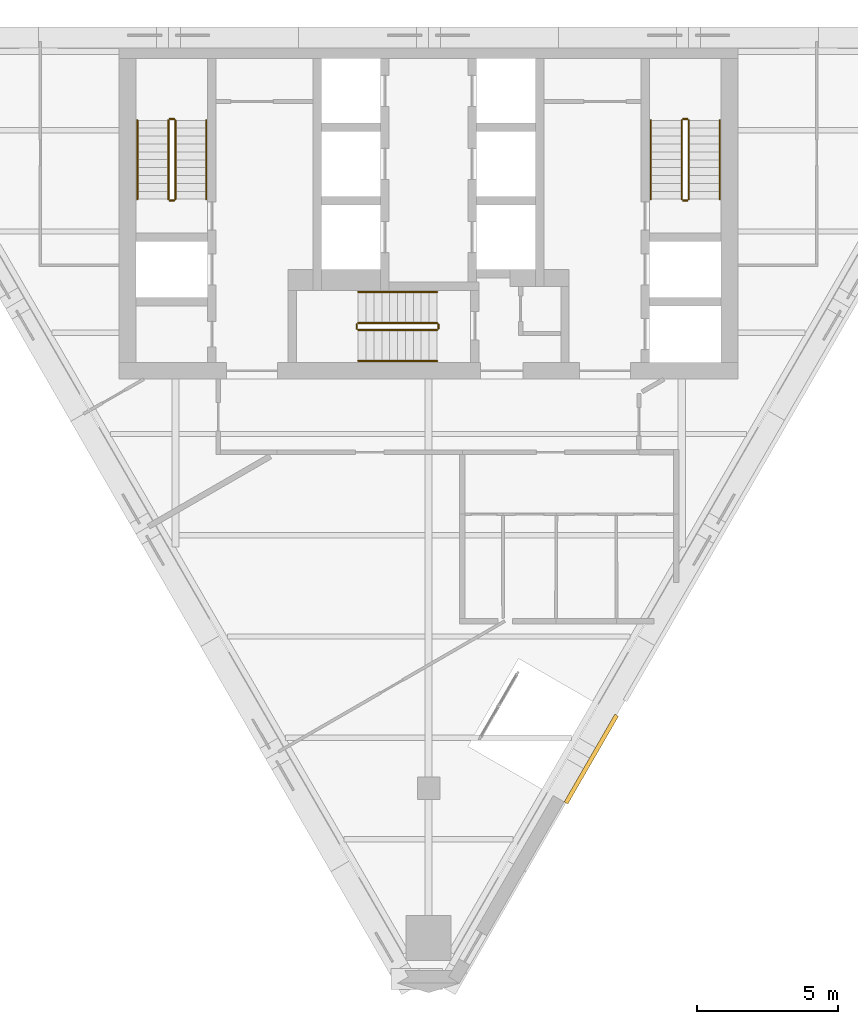
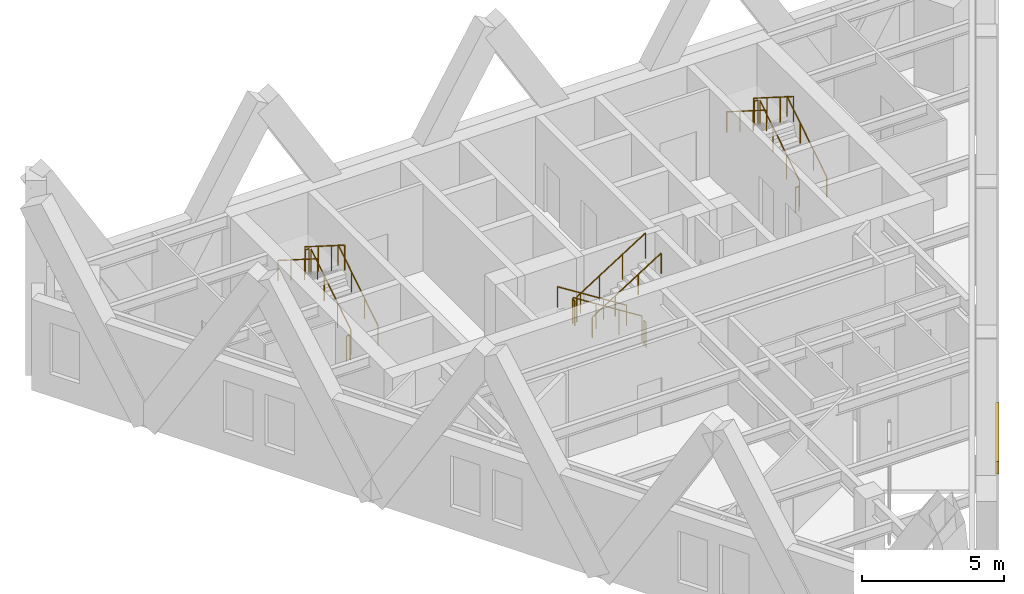
# One storey, part 8 of 9: 18 railings, 1 covering.
"""IFC4 building model written with IfcOpenShell, lengths in metres."""

from ifc_helpers import new_model, si_unit, direction, frame, origin, origin_2d, place, context, subcontext, project, spatial, polyline, circle, outline, extrude, material, layer, layer_set, type_object, element, save


model = new_model("IFC4")

# Units and contexts
model_context = context("Model", 3, precision=1e-05, world=origin(), true_north=direction((0.0, 1.0)))
body_context = subcontext(model_context, "Body", "Model", "MODEL_VIEW")
ifc_project = project(units=[si_unit("LENGTHUNIT", "METRE"), si_unit("AREAUNIT", "SQUARE_METRE"), si_unit("VOLUMEUNIT", "CUBIC_METRE"), si_unit("PLANEANGLEUNIT", "RADIAN"), si_unit("MASSUNIT", "GRAM", prefix="KILO")], contexts=[model_context])

# Site, building, storey
site_placement = place(None, origin())
site = spatial("IfcSite", under=ifc_project, at=site_placement, CompositionType="ELEMENT")
building_placement = place(site_placement, origin())
building = spatial("IfcBuilding", under=site, at=building_placement, Name="Aloe Facet Convention Tower", CompositionType="ELEMENT")
storey_placement = place(building_placement, frame((0.0, 0.0, 277.699951171875)))
storey = spatial("IfcBuildingStorey", under=building, at=storey_placement, Name="L68", CompositionType="ELEMENT", Elevation=277.699951171875)

# Railings
ifc_material_1 = material(Name="Steel S355 balustrade", Category="steel")
railing_type_1 = type_object("IfcRailingType", Name="CR-RL-GUARD", PredefinedType="GUARDRAIL", material=ifc_material_1)
railing_1_placement = place(storey_placement, frame((71.0, 128.949951171875, 0.17724609375)))
element("IfcRailing", 1, at=railing_1_placement, inside=storey, type_object=railing_type_1, Name="L68 ST1 stair guard 1", PredefinedType="GUARDRAIL", context=body_context, shape_type="SweptSolid", body=[
    extrude(circle(Radius=0.02392578125, at=origin_2d()), frame((0.0, 0.0, 1.076171875), z_axis=(0.0, 0.844908973607, 0.534910110503), x_axis=(-1.0, 0.0, 0.0)), (0.0, 0.0, 1.0), 3.31396484375),
    extrude(circle(Radius=0.02099609375, at=origin_2d()), origin(), (0.0, 0.0, 1.0), 1.052001953125),
    extrude(circle(Radius=0.02099609375, at=origin_2d()), frame((0.0, 0.933349609375, 0.5908203125)), (0.0, 0.0, 1.0), 1.052001953125),
    extrude(circle(Radius=0.02099609375, at=origin_2d()), frame((0.0, 1.86669921875, 1.181884765625)), (0.0, 0.0, 1.0), 1.052001953125),
    extrude(circle(Radius=0.02099609375, at=origin_2d()), frame((0.0, 2.800048828125, 1.772705078125)), (0.0, 0.0, 1.0), 1.052001953125),
])
railing_2_placement = place(storey_placement, frame((70.949951171875, 131.800048828125, 1.949951171875)))
element("IfcRailing", 2, at=railing_2_placement, inside=storey, type_object=railing_type_1, Name="L68 ST1 stair guard 2", PredefinedType="GUARDRAIL", context=body_context, shape_type="SweptSolid", body=[
    extrude(circle(Radius=0.02392578125, at=origin_2d()), frame((0.0, 0.0, 1.076171875), z_axis=(-1.0, 0.0, 0.0), x_axis=(0.0, -1.0, 0.0)), (0.0, 0.0, 1.0), 0.14990234375),
    extrude(circle(Radius=0.02099609375, at=origin_2d()), origin(), (0.0, 0.0, 1.0), 1.052001953125),
    extrude(circle(Radius=0.02099609375, at=origin_2d()), frame((-0.14990234375, 0.0, 0.0)), (0.0, 0.0, 1.0), 1.052001953125),
])
railing_3_placement = place(storey_placement, frame((70.75, 131.75, 2.12744140625)))
element("IfcRailing", 3, at=railing_3_placement, inside=storey, type_object=railing_type_1, Name="L68 ST1 stair guard 3", PredefinedType="GUARDRAIL", context=body_context, shape_type="SweptSolid", body=[
    extrude(circle(Radius=0.02392578125, at=origin_2d()), frame((0.0, 0.0, 1.076171875), z_axis=(0.0, -0.844908973607, 0.534910110503), x_axis=(1.0, 0.0, 0.0)), (0.0, 0.0, 1.0), 3.31396484375),
    extrude(circle(Radius=0.02099609375, at=origin_2d()), origin(), (0.0, 0.0, 1.0), 1.052001953125),
    extrude(circle(Radius=0.02099609375, at=origin_2d()), frame((0.0, -0.933349609375, 0.5908203125)), (0.0, 0.0, 1.0), 1.052001953125),
    extrude(circle(Radius=0.02099609375, at=origin_2d()), frame((0.0, -1.86669921875, 1.181884765625)), (0.0, 0.0, 1.0), 1.052001953125),
    extrude(circle(Radius=0.02099609375, at=origin_2d()), frame((0.0, -2.800048828125, 1.772705078125)), (0.0, 0.0, 1.0), 1.052001953125),
])
railing_4_placement = place(storey_placement, frame((70.949951171875, 128.89990234375, 0.0)))
element("IfcRailing", 4, at=railing_4_placement, inside=storey, type_object=railing_type_1, Name="L68 ST1 stair guard 4", PredefinedType="GUARDRAIL", context=body_context, shape_type="SweptSolid", body=[
    extrude(circle(Radius=0.02392578125, at=origin_2d()), frame((0.0, 0.0, 1.076171875), z_axis=(-1.0, 0.0, 0.0), x_axis=(0.0, -1.0, 0.0)), (0.0, 0.0, 1.0), 0.14990234375),
    extrude(circle(Radius=0.02099609375, at=origin_2d()), origin(), (0.0, 0.0, 1.0), 1.052001953125),
    extrude(circle(Radius=0.02099609375, at=origin_2d()), frame((-0.14990234375, 0.0, 0.0)), (0.0, 0.0, 1.0), 1.052001953125),
])
railing_5_placement = place(storey_placement, frame((89.25, 128.949951171875, 0.17724609375)))
element("IfcRailing", 5, at=railing_5_placement, inside=storey, type_object=railing_type_1, Name="L68 ST2 stair guard 1", PredefinedType="GUARDRAIL", context=body_context, shape_type="SweptSolid", body=[
    extrude(circle(Radius=0.02392578125, at=origin_2d()), frame((0.0, 0.0, 1.076171875), z_axis=(0.0, 0.844908973607, 0.534910110503), x_axis=(-1.0, 0.0, 0.0)), (0.0, 0.0, 1.0), 3.31396484375),
    extrude(circle(Radius=0.02099609375, at=origin_2d()), origin(), (0.0, 0.0, 1.0), 1.052001953125),
    extrude(circle(Radius=0.02099609375, at=origin_2d()), frame((0.0, 0.933349609375, 0.5908203125)), (0.0, 0.0, 1.0), 1.052001953125),
    extrude(circle(Radius=0.02099609375, at=origin_2d()), frame((0.0, 1.86669921875, 1.181884765625)), (0.0, 0.0, 1.0), 1.052001953125),
    extrude(circle(Radius=0.02099609375, at=origin_2d()), frame((0.0, 2.800048828125, 1.772705078125)), (0.0, 0.0, 1.0), 1.052001953125),
])
railing_6_placement = place(storey_placement, frame((89.199951171875, 131.800048828125, 1.949951171875)))
element("IfcRailing", 6, at=railing_6_placement, inside=storey, type_object=railing_type_1, Name="L68 ST2 stair guard 2", PredefinedType="GUARDRAIL", context=body_context, shape_type="SweptSolid", body=[
    extrude(circle(Radius=0.02392578125, at=origin_2d()), frame((0.0, 0.0, 1.076171875), z_axis=(-1.0, 0.0, 0.0), x_axis=(0.0, -1.0, 0.0)), (0.0, 0.0, 1.0), 0.14990234375),
    extrude(circle(Radius=0.02099609375, at=origin_2d()), origin(), (0.0, 0.0, 1.0), 1.052001953125),
    extrude(circle(Radius=0.02099609375, at=origin_2d()), frame((-0.14990234375, 0.0, 0.0)), (0.0, 0.0, 1.0), 1.052001953125),
])
railing_7_placement = place(storey_placement, frame((89.0, 131.75, 2.12744140625)))
element("IfcRailing", 7, at=railing_7_placement, inside=storey, type_object=railing_type_1, Name="L68 ST2 stair guard 3", PredefinedType="GUARDRAIL", context=body_context, shape_type="SweptSolid", body=[
    extrude(circle(Radius=0.02392578125, at=origin_2d()), frame((0.0, 0.0, 1.076171875), z_axis=(0.0, -0.844908973607, 0.534910110503), x_axis=(1.0, 0.0, 0.0)), (0.0, 0.0, 1.0), 3.31396484375),
    extrude(circle(Radius=0.02099609375, at=origin_2d()), origin(), (0.0, 0.0, 1.0), 1.052001953125),
    extrude(circle(Radius=0.02099609375, at=origin_2d()), frame((0.0, -0.933349609375, 0.5908203125)), (0.0, 0.0, 1.0), 1.052001953125),
    extrude(circle(Radius=0.02099609375, at=origin_2d()), frame((0.0, -1.86669921875, 1.181884765625)), (0.0, 0.0, 1.0), 1.052001953125),
    extrude(circle(Radius=0.02099609375, at=origin_2d()), frame((0.0, -2.800048828125, 1.772705078125)), (0.0, 0.0, 1.0), 1.052001953125),
])
railing_8_placement = place(storey_placement, frame((89.199951171875, 128.89990234375, 0.0)))
element("IfcRailing", 8, at=railing_8_placement, inside=storey, type_object=railing_type_1, Name="L68 ST2 stair guard 4", PredefinedType="GUARDRAIL", context=body_context, shape_type="SweptSolid", body=[
    extrude(circle(Radius=0.02392578125, at=origin_2d()), frame((0.0, 0.0, 1.076171875), z_axis=(-1.0, 0.0, 0.0), x_axis=(0.0, -1.0, 0.0)), (0.0, 0.0, 1.0), 0.14990234375),
    extrude(circle(Radius=0.02099609375, at=origin_2d()), origin(), (0.0, 0.0, 1.0), 1.052001953125),
    extrude(circle(Radius=0.02099609375, at=origin_2d()), frame((-0.14990234375, 0.0, 0.0)), (0.0, 0.0, 1.0), 1.052001953125),
])
railing_9_placement = place(storey_placement, frame((80.300048828125, 124.550048828125, 0.17724609375)))
element("IfcRailing", 9, at=railing_9_placement, inside=storey, type_object=railing_type_1, Name="L68 ST3 stair guard 1", PredefinedType="GUARDRAIL", context=body_context, shape_type="SweptSolid", body=[
    extrude(circle(Radius=0.02392578125, at=origin_2d()), frame((0.0, 0.0, 1.076171875), z_axis=(-0.844908973607, 0.0, 0.534910110503), x_axis=(0.0, -1.0, 0.0)), (0.0, 0.0, 1.0), 3.31396484375),
    extrude(circle(Radius=0.02099609375, at=origin_2d()), origin(), (0.0, 0.0, 1.0), 1.052001953125),
    extrude(circle(Radius=0.02099609375, at=origin_2d()), frame((-0.933349609375, 0.0, 0.5908203125)), (0.0, 0.0, 1.0), 1.052001953125),
    extrude(circle(Radius=0.02099609375, at=origin_2d()), frame((-1.86669921875, 0.0, 1.181884765625)), (0.0, 0.0, 1.0), 1.052001953125),
    extrude(circle(Radius=0.02099609375, at=origin_2d()), frame((-2.800048828125, 0.0, 1.772705078125)), (0.0, 0.0, 1.0), 1.052001953125),
])
railing_10_placement = place(storey_placement, frame((77.449951171875, 124.5, 1.949951171875)))
element("IfcRailing", 10, at=railing_10_placement, inside=storey, type_object=railing_type_1, Name="L68 ST3 stair guard 2", PredefinedType="GUARDRAIL", context=body_context, shape_type="SweptSolid", body=[
    extrude(circle(Radius=0.02392578125, at=origin_2d()), frame((0.0, 0.0, 1.076171875), z_axis=(0.0, -1.0, 0.0), x_axis=(1.0, 0.0, 0.0)), (0.0, 0.0, 1.0), 0.14990234375),
    extrude(circle(Radius=0.02099609375, at=origin_2d()), origin(), (0.0, 0.0, 1.0), 1.052001953125),
    extrude(circle(Radius=0.02099609375, at=origin_2d()), frame((0.0, -0.14990234375, 0.0)), (0.0, 0.0, 1.0), 1.052001953125),
])
railing_11_placement = place(storey_placement, frame((77.5, 124.300048828125, 2.12744140625)))
element("IfcRailing", 11, at=railing_11_placement, inside=storey, type_object=railing_type_1, Name="L68 ST3 stair guard 3", PredefinedType="GUARDRAIL", context=body_context, shape_type="SweptSolid", body=[
    extrude(circle(Radius=0.02392578125, at=origin_2d()), frame((0.0, 0.0, 1.076171875), z_axis=(0.844908973607, 0.0, 0.534910110503), x_axis=(0.0, 1.0, 0.0)), (0.0, 0.0, 1.0), 3.31396484375),
    extrude(circle(Radius=0.02099609375, at=origin_2d()), origin(), (0.0, 0.0, 1.0), 1.052001953125),
    extrude(circle(Radius=0.02099609375, at=origin_2d()), frame((0.933349609375, 0.0, 0.5908203125)), (0.0, 0.0, 1.0), 1.052001953125),
    extrude(circle(Radius=0.02099609375, at=origin_2d()), frame((1.86669921875, 0.0, 1.181884765625)), (0.0, 0.0, 1.0), 1.052001953125),
    extrude(circle(Radius=0.02099609375, at=origin_2d()), frame((2.800048828125, 0.0, 1.772705078125)), (0.0, 0.0, 1.0), 1.052001953125),
])
railing_12_placement = place(storey_placement, frame((80.35009765625, 124.5, 0.0)))
element("IfcRailing", 12, at=railing_12_placement, inside=storey, type_object=railing_type_1, Name="L68 ST3 stair guard 4", PredefinedType="GUARDRAIL", context=body_context, shape_type="SweptSolid", body=[
    extrude(circle(Radius=0.02392578125, at=origin_2d()), frame((0.0, 0.0, 1.076171875), z_axis=(0.0, -1.0, 0.0), x_axis=(1.0, 0.0, 0.0)), (0.0, 0.0, 1.0), 0.14990234375),
    extrude(circle(Radius=0.02099609375, at=origin_2d()), origin(), (0.0, 0.0, 1.0), 1.052001953125),
    extrude(circle(Radius=0.02099609375, at=origin_2d()), frame((0.0, -0.14990234375, 0.0)), (0.0, 0.0, 1.0), 1.052001953125),
])
ifc_material_2 = material(Name="Steel S355 handrail", Category="steel")
railing_type_2 = type_object("IfcRailingType", Name="CR-RL-HAND", PredefinedType="HANDRAIL", material=ifc_material_2)
railing_13_placement = place(storey_placement, frame((72.10009765625, 128.949951171875, 0.17724609375)))
element("IfcRailing", 13, at=railing_13_placement, inside=storey, type_object=railing_type_2, Name="L68 ST1 stair handrail 1", PredefinedType="HANDRAIL", context=body_context, shape_type="SweptSolid", body=[
    extrude(circle(Radius=0.02392578125, at=origin_2d()), frame((0.0, 0.0, 0.8759765625), z_axis=(0.0, 0.844908973607, 0.534910110503), x_axis=(-1.0, 0.0, 0.0)), (0.0, 0.0, 1.0), 3.31396484375),
    extrude(circle(Radius=0.02099609375, at=origin_2d()), origin(), (0.0, 0.0, 1.0), 0.851806640625),
    extrude(circle(Radius=0.02099609375, at=origin_2d()), frame((0.0, 0.933349609375, 0.5908203125)), (0.0, 0.0, 1.0), 0.851806640625),
    extrude(circle(Radius=0.02099609375, at=origin_2d()), frame((0.0, 1.86669921875, 1.181884765625)), (0.0, 0.0, 1.0), 0.851806640625),
    extrude(circle(Radius=0.02099609375, at=origin_2d()), frame((0.0, 2.800048828125, 1.772705078125)), (0.0, 0.0, 1.0), 0.851806640625),
])
railing_14_placement = place(storey_placement, frame((69.64990234375, 131.75, 2.12744140625)))
element("IfcRailing", 14, at=railing_14_placement, inside=storey, type_object=railing_type_2, Name="L68 ST1 stair handrail 2", PredefinedType="HANDRAIL", context=body_context, shape_type="SweptSolid", body=[
    extrude(circle(Radius=0.02392578125, at=origin_2d()), frame((0.0, 0.0, 0.8759765625), z_axis=(0.0, -0.844908973607, 0.534910110503), x_axis=(1.0, 0.0, 0.0)), (0.0, 0.0, 1.0), 3.31396484375),
    extrude(circle(Radius=0.02099609375, at=origin_2d()), origin(), (0.0, 0.0, 1.0), 0.851806640625),
    extrude(circle(Radius=0.02099609375, at=origin_2d()), frame((0.0, -0.933349609375, 0.5908203125)), (0.0, 0.0, 1.0), 0.851806640625),
    extrude(circle(Radius=0.02099609375, at=origin_2d()), frame((0.0, -1.86669921875, 1.181884765625)), (0.0, 0.0, 1.0), 0.851806640625),
    extrude(circle(Radius=0.02099609375, at=origin_2d()), frame((0.0, -2.800048828125, 1.772705078125)), (0.0, 0.0, 1.0), 0.851806640625),
])
railing_15_placement = place(storey_placement, frame((90.35009765625, 128.949951171875, 0.17724609375)))
element("IfcRailing", 15, at=railing_15_placement, inside=storey, type_object=railing_type_2, Name="L68 ST2 stair handrail 1", PredefinedType="HANDRAIL", context=body_context, shape_type="SweptSolid", body=[
    extrude(circle(Radius=0.02392578125, at=origin_2d()), frame((0.0, 0.0, 0.8759765625), z_axis=(0.0, 0.844908973607, 0.534910110503), x_axis=(-1.0, 0.0, 0.0)), (0.0, 0.0, 1.0), 3.31396484375),
    extrude(circle(Radius=0.02099609375, at=origin_2d()), origin(), (0.0, 0.0, 1.0), 0.851806640625),
    extrude(circle(Radius=0.02099609375, at=origin_2d()), frame((0.0, 0.933349609375, 0.5908203125)), (0.0, 0.0, 1.0), 0.851806640625),
    extrude(circle(Radius=0.02099609375, at=origin_2d()), frame((0.0, 1.86669921875, 1.181884765625)), (0.0, 0.0, 1.0), 0.851806640625),
    extrude(circle(Radius=0.02099609375, at=origin_2d()), frame((0.0, 2.800048828125, 1.772705078125)), (0.0, 0.0, 1.0), 0.851806640625),
])
railing_16_placement = place(storey_placement, frame((87.89990234375, 131.75, 2.12744140625)))
element("IfcRailing", 16, at=railing_16_placement, inside=storey, type_object=railing_type_2, Name="L68 ST2 stair handrail 2", PredefinedType="HANDRAIL", context=body_context, shape_type="SweptSolid", body=[
    extrude(circle(Radius=0.02392578125, at=origin_2d()), frame((0.0, 0.0, 0.8759765625), z_axis=(0.0, -0.844908973607, 0.534910110503), x_axis=(1.0, 0.0, 0.0)), (0.0, 0.0, 1.0), 3.31396484375),
    extrude(circle(Radius=0.02099609375, at=origin_2d()), origin(), (0.0, 0.0, 1.0), 0.851806640625),
    extrude(circle(Radius=0.02099609375, at=origin_2d()), frame((0.0, -0.933349609375, 0.5908203125)), (0.0, 0.0, 1.0), 0.851806640625),
    extrude(circle(Radius=0.02099609375, at=origin_2d()), frame((0.0, -1.86669921875, 1.181884765625)), (0.0, 0.0, 1.0), 0.851806640625),
    extrude(circle(Radius=0.02099609375, at=origin_2d()), frame((0.0, -2.800048828125, 1.772705078125)), (0.0, 0.0, 1.0), 0.851806640625),
])
railing_17_placement = place(storey_placement, frame((80.300048828125, 125.64990234375, 0.17724609375)))
element("IfcRailing", 17, at=railing_17_placement, inside=storey, type_object=railing_type_2, Name="L68 ST3 stair handrail 1", PredefinedType="HANDRAIL", context=body_context, shape_type="SweptSolid", body=[
    extrude(circle(Radius=0.02392578125, at=origin_2d()), frame((0.0, 0.0, 0.8759765625), z_axis=(-0.844908973607, 0.0, 0.534910110503), x_axis=(0.0, -1.0, 0.0)), (0.0, 0.0, 1.0), 3.31396484375),
    extrude(circle(Radius=0.02099609375, at=origin_2d()), origin(), (0.0, 0.0, 1.0), 0.851806640625),
    extrude(circle(Radius=0.02099609375, at=origin_2d()), frame((-0.933349609375, 0.0, 0.5908203125)), (0.0, 0.0, 1.0), 0.851806640625),
    extrude(circle(Radius=0.02099609375, at=origin_2d()), frame((-1.86669921875, 0.0, 1.181884765625)), (0.0, 0.0, 1.0), 0.851806640625),
    extrude(circle(Radius=0.02099609375, at=origin_2d()), frame((-2.800048828125, 0.0, 1.772705078125)), (0.0, 0.0, 1.0), 0.851806640625),
])
railing_18_placement = place(storey_placement, frame((77.5, 123.199951171875, 2.12744140625)))
element("IfcRailing", 18, at=railing_18_placement, inside=storey, type_object=railing_type_2, Name="L68 ST3 stair handrail 2", PredefinedType="HANDRAIL", context=body_context, shape_type="SweptSolid", body=[
    extrude(circle(Radius=0.02392578125, at=origin_2d()), frame((0.0, 0.0, 0.8759765625), z_axis=(0.844908973607, 0.0, 0.534910110503), x_axis=(0.0, 1.0, 0.0)), (0.0, 0.0, 1.0), 3.31396484375),
    extrude(circle(Radius=0.02099609375, at=origin_2d()), origin(), (0.0, 0.0, 1.0), 0.851806640625),
    extrude(circle(Radius=0.02099609375, at=origin_2d()), frame((0.933349609375, 0.0, 0.5908203125)), (0.0, 0.0, 1.0), 0.851806640625),
    extrude(circle(Radius=0.02099609375, at=origin_2d()), frame((1.86669921875, 0.0, 1.181884765625)), (0.0, 0.0, 1.0), 0.851806640625),
    extrude(circle(Radius=0.02099609375, at=origin_2d()), frame((2.800048828125, 0.0, 1.772705078125)), (0.0, 0.0, 1.0), 0.851806640625),
])

# Covering
ifc_material_3 = material(Name="Bronze oxide fascia sheet")
ifc_layer = layer(ifc_material_3, 0.14990234375)
ifc_layer_set = layer_set([ifc_layer], Name="EV-FASCIA-TERR")
covering_type = type_object("IfcCoveringType", Name="EV-FASCIA-TERR", PredefinedType="CLADDING", material=ifc_layer_set)
covering_placement = place(storey_placement, frame((0.0, 0.0, 3.199951171875)))
element("IfcCovering", 19, at=covering_placement, inside=storey, type_object=covering_type, Name="Terrace fascia T15 head", PredefinedType="CLADDING", context=body_context, shape_type="SweptSolid", body=[
    extrude(outline(polyline([(84.951416015625, 107.44677734375), (86.75146484375, 110.564453125), (86.62158203125, 110.639404296875), (84.821533203125, 107.521728515625), (84.951416015625, 107.44677734375)])), origin(), (0.0, 0.0, 1.0), 0.550048828125),
])

save(model, "model.ifc")
